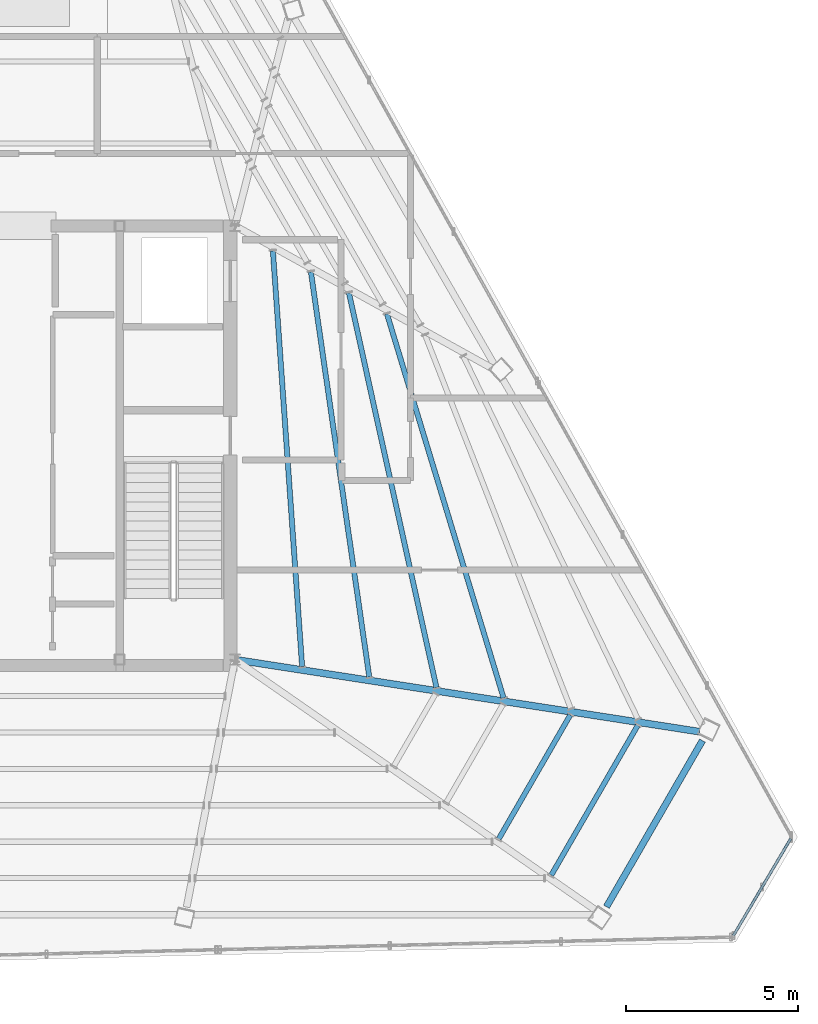
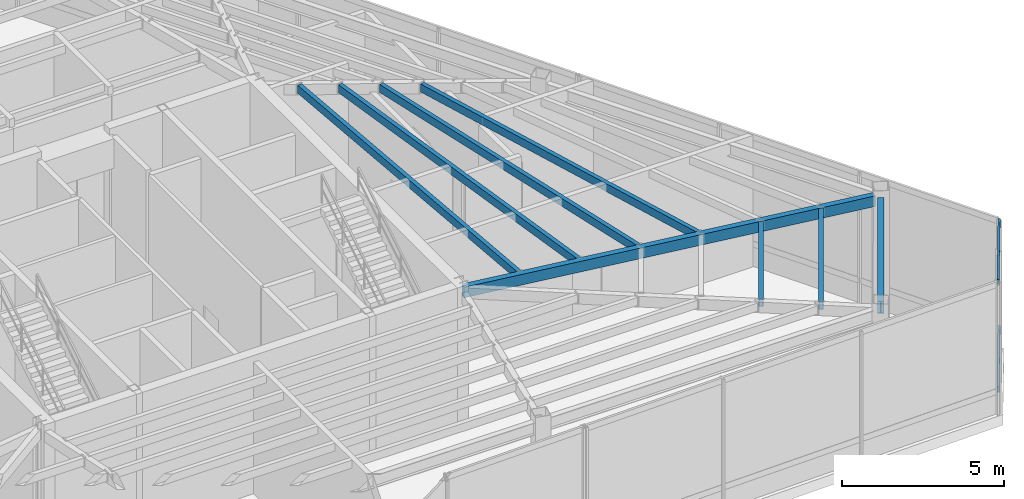
# One storey, part 13 of 25: 8 beams, 2 members, 1 element without a shape of its own.
"""IFC4 building model written with IfcOpenShell, lengths in metres."""

from ifc_helpers import new_model, si_unit, direction, frame, origin, origin_2d, place, context, subcontext, project, spatial, hollow_rectangle, i_section, extrude, source, transform, mapped, material, material_profile, profile_set, type_object, type_shapes, element, aggregate, save


model = new_model("IFC4")

# Units and contexts
model_context = context("Model", 3, precision=1e-05, world=origin(), true_north=direction((0.0, 1.0)))
body_context = subcontext(model_context, "Body", "Model", "MODEL_VIEW")
ifc_project = project(units=[si_unit("LENGTHUNIT", "METRE"), si_unit("AREAUNIT", "SQUARE_METRE"), si_unit("VOLUMEUNIT", "CUBIC_METRE"), si_unit("PLANEANGLEUNIT", "RADIAN"), si_unit("MASSUNIT", "GRAM", prefix="KILO")], contexts=[model_context])

# Site, building, storey
site_placement = place(None, origin())
site = spatial("IfcSite", under=ifc_project, at=site_placement, CompositionType="ELEMENT")
building_placement = place(site_placement, origin())
building = spatial("IfcBuilding", under=site, at=building_placement, Name="Caelisora Broadcast Tower", CompositionType="ELEMENT")
storey_placement = place(building_placement, frame((0.0, 0.0, 284.60009765625)))
storey = spatial("IfcBuildingStorey", under=building, at=storey_placement, Name="L75", CompositionType="ELEMENT", Elevation=284.60009765625)

# Beams
ifc_material_1 = material(Name="Steel Grade 350 (AS/NZS 3679.1)", Category="steel")
ifc_material_profile_1 = material_profile(ifc_material_1, i_section(OverallWidth=0.19091796875, OverallDepth=0.46044921875, WebThickness=0.010009765625, FlangeThickness=0.01611328125, at=origin_2d()), Name="Steel Grade 350 (AS/NZS 3679.1)")
ifc_profile_set_1 = profile_set([ifc_material_profile_1], Name="Steel Grade 350 (AS/NZS 3679.1)")
beam_type_1 = type_object("IfcBeamType", Name="PG06", PredefinedType="BEAM", material=ifc_profile_set_1)
shared_shape_1 = source(origin(), body_context, "Body", "SweptSolid", [
    extrude(i_section(OverallWidth=0.19091796875, OverallDepth=0.46044921875, WebThickness=0.010009765625, FlangeThickness=0.01611328125, at=origin_2d()), origin(), (0.0, 0.0, 1.0), 5.576171875),
])
type_shapes(beam_type_1, [shared_shape_1])
beam_1_placement = place(storey_placement, frame((56.293701171875, 10.21875, 4.7197265625), z_axis=(0.500000383388, 0.866025182435, 0.0), x_axis=(-0.866025182435, 0.500000383388, 0.0)))
element("IfcBeam", 1, at=beam_1_placement, inside=storey, type_object=beam_type_1, Name="L75 beam PG06", PredefinedType="BEAM", context=body_context, shape_type="MappedRepresentation", body=[
    mapped(shared_shape_1, transform((0.0, 0.0, 0.0), scale=1.0)),
])
ifc_material_2 = material(Name="Steel Grade 350 (AS/NZS 1163 C350L0)", Category="steel")
ifc_material_profile_2 = material_profile(ifc_material_2, hollow_rectangle(XDim=0.199951171875, YDim=0.39990234375, WallThickness=0.012451171875, at=origin_2d()), Name="Steel Grade 350 (AS/NZS 1163 C350L0)")
ifc_profile_set_2 = profile_set([ifc_material_profile_2], Name="Steel Grade 350 (AS/NZS 1163 C350L0)")
beam_type_2 = type_object("IfcBeamType", Name="PG07", PredefinedType="BEAM", material=ifc_profile_set_2)
shared_shape_2 = source(origin(), body_context, "Body", "SweptSolid", [
    extrude(hollow_rectangle(XDim=0.199951171875, YDim=0.39990234375, WallThickness=0.012451171875, at=origin_2d()), origin(), (0.0, 0.0, 1.0), 13.595703125),
])
type_shapes(beam_type_2, [shared_shape_2])
beam_2_placement = place(storey_placement, frame((45.559326171875, 17.390869140625, 4.75), z_axis=(0.988179719813, -0.153299841324, 0.0), x_axis=(0.153299841324, 0.988179719813, 0.0)))
element("IfcBeam", 2, at=beam_2_placement, inside=storey, type_object=beam_type_2, Name="L75 beam PG07", PredefinedType="BEAM", context=body_context, shape_type="MappedRepresentation", body=[
    mapped(shared_shape_2, transform((0.0, 0.0, 0.0), scale=1.0)),
])
ifc_material_profile_3 = material_profile(ifc_material_2, hollow_rectangle(XDim=0.14990234375, YDim=0.300048828125, WallThickness=0.010009765625, at=origin_2d()), Name="Steel Grade 350 (AS/NZS 1163 C350L0)")
ifc_profile_set_3 = profile_set([ifc_material_profile_3], Name="Steel Grade 350 (AS/NZS 1163 C350L0)")
beam_type_3 = type_object("IfcBeamType", Name="SB05", PredefinedType="JOIST", material=ifc_profile_set_3)
shared_shape_3 = source(origin(), body_context, "Body", "SweptSolid", [
    extrude(hollow_rectangle(XDim=0.14990234375, YDim=0.300048828125, WallThickness=0.010009765625, at=origin_2d()), origin(), (0.0, 0.0, 1.0), 12.112548828125),
])
beam_3_placement = place(storey_placement, frame((47.451904296875, 17.195556640625, 4.7998046875), z_axis=(-0.07016268195, 0.997535562304, 0.0), x_axis=(-0.997535562304, -0.07016268195, 0.0)))
element("IfcBeam", 3, at=beam_3_placement, inside=storey, type_object=beam_type_3, Name="L75 beam SB05", PredefinedType="JOIST", context=body_context, shape_type="MappedRepresentation", body=[
    mapped(shared_shape_3, transform((0.0, 0.0, 0.0), scale=1.0)),
])
shared_shape_4 = source(origin(), body_context, "Body", "SweptSolid", [
    extrude(hollow_rectangle(XDim=0.14990234375, YDim=0.300048828125, WallThickness=0.010009765625, at=origin_2d()), origin(), (0.0, 0.0, 1.0), 11.896240234375),
])
beam_4_placement = place(storey_placement, frame((49.4033203125, 16.892822265625, 4.7998046875), z_axis=(-0.142734263933, 0.989761046869, 0.0), x_axis=(-0.989761046869, -0.142734263933, 0.0)))
element("IfcBeam", 4, at=beam_4_placement, inside=storey, type_object=beam_type_3, Name="L75 beam SB05", PredefinedType="JOIST", context=body_context, shape_type="MappedRepresentation", body=[
    mapped(shared_shape_4, transform((0.0, 0.0, 0.0), scale=1.0)),
])
shared_shape_5 = source(origin(), body_context, "Body", "SweptSolid", [
    extrude(hollow_rectangle(XDim=0.14990234375, YDim=0.300048828125, WallThickness=0.010009765625, at=origin_2d()), origin(), (0.0, 0.0, 1.0), 11.743896484375),
])
beam_5_placement = place(storey_placement, frame((51.35400390625, 16.59033203125, 4.7998046875), z_axis=(-0.216617883015, 0.976256468741, 0.0), x_axis=(-0.976256468741, -0.216617883015, 0.0)))
element("IfcBeam", 5, at=beam_5_placement, inside=storey, type_object=beam_type_3, Name="L75 beam SB05", PredefinedType="JOIST", context=body_context, shape_type="MappedRepresentation", body=[
    mapped(shared_shape_5, transform((0.0, 0.0, 0.0), scale=1.0)),
])
shared_shape_6 = source(origin(), body_context, "Body", "SweptSolid", [
    extrude(hollow_rectangle(XDim=0.14990234375, YDim=0.300048828125, WallThickness=0.010009765625, at=origin_2d()), origin(), (0.0, 0.0, 1.0), 11.65771484375),
])
beam_6_placement = place(storey_placement, frame((53.303955078125, 16.287841796875, 4.7998046875), z_axis=(-0.290574054001, 0.956852506472, 0.0), x_axis=(-0.956852506472, -0.290574054001, 0.0)))
element("IfcBeam", 6, at=beam_6_placement, inside=storey, type_object=beam_type_3, Name="L75 beam SB05", PredefinedType="JOIST", context=body_context, shape_type="MappedRepresentation", body=[
    mapped(shared_shape_6, transform((0.0, 0.0, 0.0), scale=1.0)),
])
shared_shape_7 = source(origin(), body_context, "Body", "SweptSolid", [
    extrude(hollow_rectangle(XDim=0.14990234375, YDim=0.300048828125, WallThickness=0.010009765625, at=origin_2d()), origin(), (0.0, 0.0, 1.0), 4.153076171875),
])
beam_7_placement = place(storey_placement, frame((53.16552734375, 12.19384765625, 4.7998046875), z_axis=(0.499976889528, 0.866038746211, 0.0), x_axis=(-0.866038746211, 0.499976889528, 0.0)))
element("IfcBeam", 7, at=beam_7_placement, inside=storey, type_object=beam_type_3, Name="L75 beam SB05", PredefinedType="JOIST", context=body_context, shape_type="MappedRepresentation", body=[
    mapped(shared_shape_7, transform((0.0, 0.0, 0.0), scale=1.0)),
])
shared_shape_8 = source(origin(), body_context, "Body", "SweptSolid", [
    extrude(hollow_rectangle(XDim=0.14990234375, YDim=0.300048828125, WallThickness=0.010009765625, at=origin_2d()), origin(), (0.0, 0.0, 1.0), 5.02392578125),
])
type_shapes(beam_type_3, [shared_shape_3, shared_shape_4, shared_shape_5, shared_shape_6, shared_shape_7, shared_shape_8])
beam_8_placement = place(storey_placement, frame((54.68896484375, 11.1357421875, 4.7998046875), z_axis=(0.500001488952, 0.866024544136, 0.0), x_axis=(-0.866024544136, 0.500001488952, 0.0)))
element("IfcBeam", 8, at=beam_8_placement, inside=storey, type_object=beam_type_3, Name="L75 beam SB05", PredefinedType="JOIST", context=body_context, shape_type="MappedRepresentation", body=[
    mapped(shared_shape_8, transform((0.0, 0.0, 0.0), scale=1.0)),
])

# Curtain wall, members
ifc_material_3 = material(Name="Unitised Aluminium and Low-E Glass Curtain Wall", Category="glass")
curtain_wall_type = type_object("IfcCurtainWallType", Name="CW-TMD", PredefinedType="NOTDEFINED", material=ifc_material_3)
curtain_wall_placement = place(storey_placement, origin())
curtain_wall = element("IfcCurtainWall", 9, at=curtain_wall_placement, inside=storey, type_object=curtain_wall_type, Name="L75 curtain wall CW-TMD", PredefinedType="NOTDEFINED")
ifc_material_4 = material(Name="Aluminium 6063-T6 Anodised Terracotta Bronze", Category="aluminium")
ifc_material_profile_4 = material_profile(ifc_material_4, hollow_rectangle(XDim=0.074951171875, YDim=0.219970703125, WallThickness=0.00390625, at=origin_2d()), Name="Aluminium 6063-T6 Anodised Terracotta Bronze")
ifc_profile_set_4 = profile_set([ifc_material_profile_4], Name="Aluminium 6063-T6 Anodised Terracotta Bronze")
member_type = type_object("IfcMemberType", Name="CWT-04", PredefinedType="USERDEFINED", material=ifc_profile_set_4)
shared_shape_9 = source(origin(), body_context, "Body", "SweptSolid", [
    extrude(hollow_rectangle(XDim=0.074951171875, YDim=0.219970703125, WallThickness=0.00390625, at=origin_2d()), origin(), (0.0, 0.0, 1.0), 3.277587890625),
])
type_shapes(member_type, [shared_shape_9])
member_1_placement = place(storey_placement, frame((61.648681640625, 12.202880859375, 0.849853515625), z_axis=(-0.50868915794, -0.860950254425, 0.0), x_axis=(0.860950254425, -0.50868915794, 0.0)))
member_1 = element("IfcMember", 10, at=member_1_placement, type_object=member_type, Name="L75-CW-B00 transom #1", ObjectType="TRANSOM", PredefinedType="USERDEFINED", context=body_context, shape_type="MappedRepresentation", body=[
    mapped(shared_shape_9, transform((0.0, 0.0, 0.0), scale=1.0)),
])
member_2_placement = place(storey_placement, frame((61.648681640625, 12.202880859375, 4.869873046875), z_axis=(-0.50868915794, -0.860950254425, 0.0), x_axis=(0.860950254425, -0.50868915794, 0.0)))
member_2 = element("IfcMember", 11, at=member_2_placement, type_object=member_type, Name="L75-CW-B00 transom #2", ObjectType="TRANSOM", PredefinedType="USERDEFINED", context=body_context, shape_type="MappedRepresentation", body=[
    mapped(shared_shape_9, transform((0.0, 0.0, 0.0), scale=1.0)),
])
aggregate(curtain_wall, [member_1, member_2])

save(model, "model.ifc")
